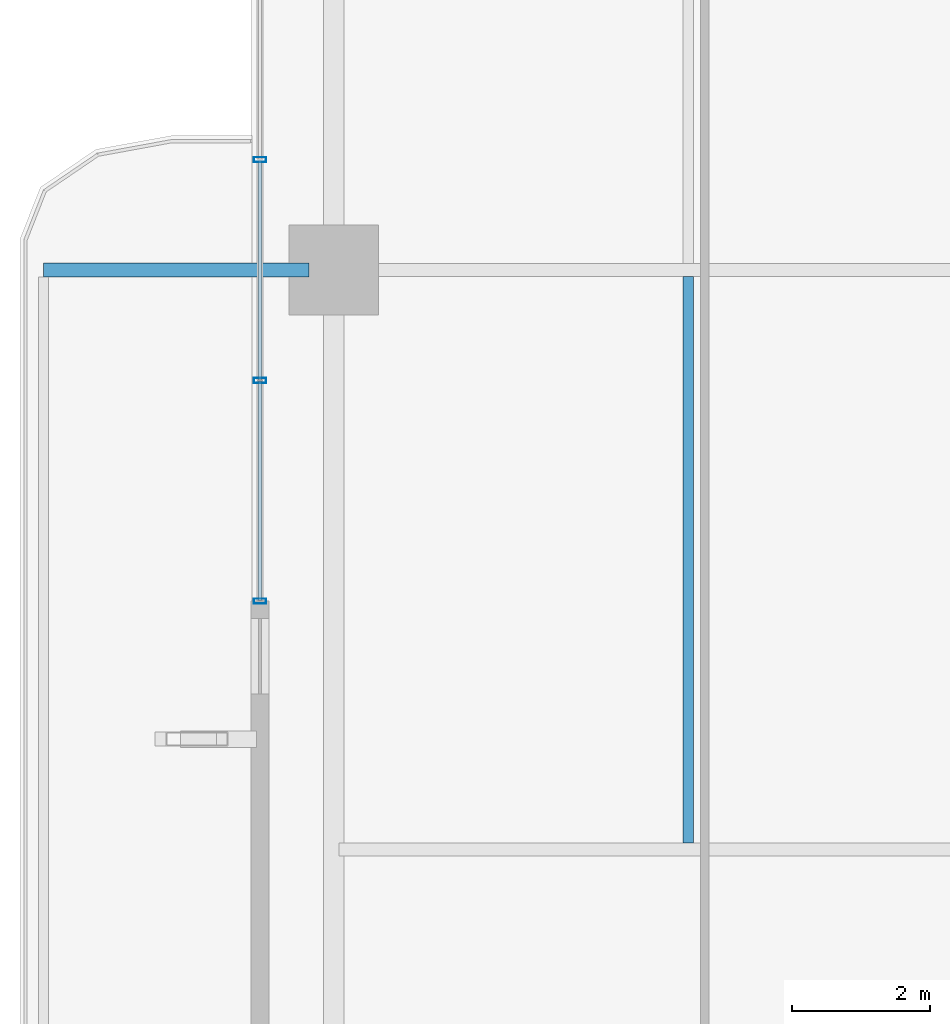
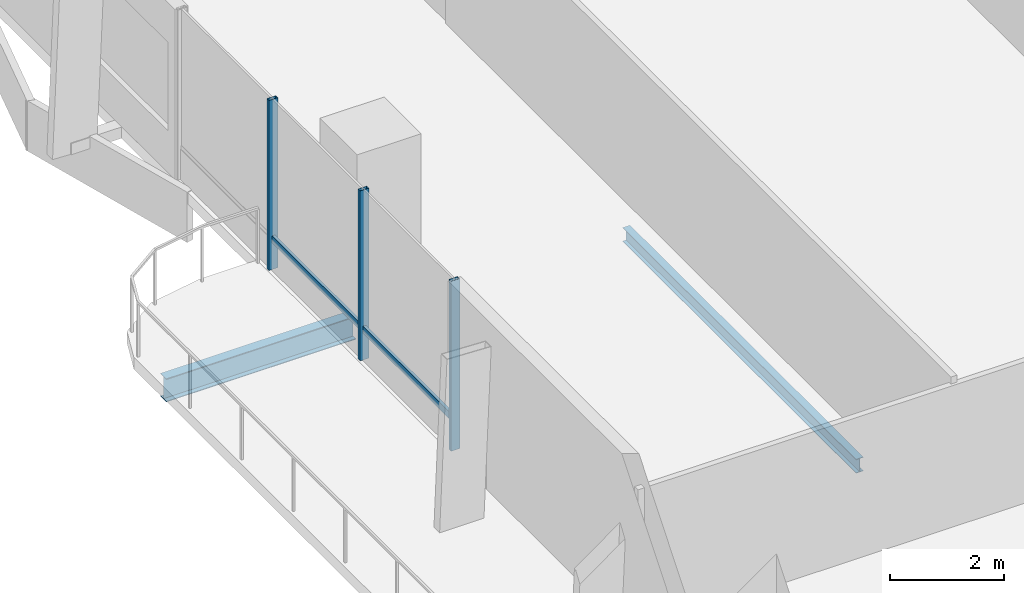
# One storey, part 4 of 24: 5 members, 2 beams, 1 element without a shape of its own.
"""IFC4 building model written with IfcOpenShell, lengths in metres."""

import ifcopenshell
import ifcopenshell.guid

model = None  # the IFC model being written
_history = None  # IfcOwnerHistory: only IFC2X3 demands one
_inside = {}  # id of a spatial element -> (the spatial element, [elements in it])
_under = {}  # id of a project, library or spatial element -> (it, [spatial elements below it])
_declared = {}  # id of a project -> (the project, [libraries it declares])
_typed = {}  # id of a type object -> (the type object, [elements of that type])
_made_of = {}  # id of a material, layer set ... -> (it, [elements and type objects made of it])


def new_model(schema):
    """Start an empty IFC model of exactly this schema.

    Asked for "IFC4X3", IfcOpenShell would pick the latest addendum, in which some entities
    have other attributes; the version numbers below select the first issue.
    IFC2X3 requires an IfcOwnerHistory on every rooted entity: one is made here for all.
    """
    global model, _history
    if schema == "IFC4X3":
        model = ifcopenshell.file(schema_version=(4, 3, 0, 0))
    else:
        model = ifcopenshell.file(schema=schema)
    _inside.clear()
    _under.clear()
    _declared.clear()
    _typed.clear()
    _made_of.clear()
    _history = None
    if model.schema == "IFC2X3":
        org = make("IfcOrganization", Name="unknown")
        user = make(
            "IfcPersonAndOrganization",
            ThePerson=make("IfcPerson", FamilyName="unknown"),
            TheOrganization=org,
        )
        app = make(
            "IfcApplication",
            ApplicationDeveloper=org,
            Version="unknown",
            ApplicationFullName="unknown",
            ApplicationIdentifier="unknown",
        )
        _history = make(
            "IfcOwnerHistory",
            OwningUser=user,
            OwningApplication=app,
            ChangeAction="ADDED",
            CreationDate=0,
        )
    return model


def make(cls, **values):
    """One entity of the class cls with the attributes given. An attribute that is None is left unset."""
    return model.create_entity(
        cls, **{name: value for name, value in values.items() if value is not None}
    )


def rooted(cls, **values):
    """An entity with a GlobalId (a new one), such as an element, a storey or a relation."""
    return make(cls, GlobalId=ifcopenshell.guid.new(), OwnerHistory=_history, **values)


def si_unit(unit_type, name, prefix=None):
    """IfcSIUnit, for example si_unit("LENGTHUNIT", "METRE", prefix="MILLI")."""
    return make("IfcSIUnit", UnitType=unit_type, Prefix=prefix, Name=name)


def assignment(units):
    """IfcUnitAssignment: the units of a project."""
    return None if units is None else make("IfcUnitAssignment", Units=units)


def point(xyz):
    """IfcCartesianPoint."""
    return None if xyz is None else make("IfcCartesianPoint", Coordinates=xyz)


def direction(xyz):
    """IfcDirection."""
    return None if xyz is None else make("IfcDirection", DirectionRatios=xyz)


def frame(location, z_axis=None, x_axis=None):
    """IfcAxis2Placement3D, a coordinate frame: its origin and axes. An axis left out is left unset."""
    return make(
        "IfcAxis2Placement3D",
        Location=point(location),
        Axis=direction(z_axis),
        RefDirection=direction(x_axis),
    )


def frame_2d(location, x_axis=None):
    """IfcAxis2Placement2D, a coordinate frame in the plane: its origin and x axis."""
    return make(
        "IfcAxis2Placement2D", Location=point(location), RefDirection=direction(x_axis)
    )


def origin():
    """The frame at (0, 0, 0) with its axes left unset."""
    return frame((0.0, 0.0, 0.0))


def origin_2d():
    """The frame at (0, 0) in the plane with its x axis left unset."""
    return frame_2d((0.0, 0.0))


def place(relative_to, where):
    """IfcLocalPlacement: puts the frame where relative to a parent placement (None: the world)."""
    return make(
        "IfcLocalPlacement", PlacementRelTo=relative_to, RelativePlacement=where
    )


def context(
    kind, dimensions, precision=None, world=None, true_north=None, identifier=None
):
    """IfcGeometricRepresentationContext, for example the 3D "Model" context."""
    return make(
        "IfcGeometricRepresentationContext",
        ContextIdentifier=identifier,
        ContextType=kind,
        CoordinateSpaceDimension=dimensions,
        Precision=precision,
        WorldCoordinateSystem=world,
        TrueNorth=true_north,
    )


def subcontext(parent, identifier, kind, view, scale=None):
    """IfcGeometricRepresentationSubContext, for example "Body" below "Model"."""
    return make(
        "IfcGeometricRepresentationSubContext",
        ContextIdentifier=identifier,
        ContextType=kind,
        ParentContext=parent,
        TargetScale=scale,
        TargetView=view,
    )


def project(units=None, contexts=None):
    """IfcProject with its units and contexts."""
    return rooted(
        "IfcProject",
        Name="project",
        RepresentationContexts=contexts,
        UnitsInContext=assignment(units),
    )


def spatial(cls, under=None, at=None, **own):
    """A site, building, storey or space (cls), placed at a placement, below another one or the project."""
    s = rooted(cls, ObjectPlacement=at, **own)
    if under is not None:
        _under.setdefault(under.id(), (under, []))[1].append(s)
    return s


def profile(cls, at=None, kind="AREA", **sizes):
    """A parametric profile (cls). Its sizes go by their IFC names, for example OverallWidth=200.0."""
    return make(cls, ProfileType=kind, Position=at, **sizes)


def hollow_rectangle(**sizes):
    """IfcRectangleHollowProfileDef."""
    return profile("IfcRectangleHollowProfileDef", **sizes)


def i_section(**sizes):
    """IfcIShapeProfileDef."""
    return profile("IfcIShapeProfileDef", **sizes)


def extrude(swept, where, along, depth):
    """IfcExtrudedAreaSolid: the profile swept, set in the frame where, extruded along a direction by depth."""
    return make(
        "IfcExtrudedAreaSolid",
        SweptArea=swept,
        Position=where,
        ExtrudedDirection=direction(along),
        Depth=depth,
    )


def shape(context_of_items, identifier, shape_type, items):
    """IfcShapeRepresentation: the items that make up one representation, for example the "Body"."""
    return make(
        "IfcShapeRepresentation",
        ContextOfItems=context_of_items,
        RepresentationIdentifier=identifier,
        RepresentationType=shape_type,
        Items=items,
    )


def material(Name=None, Category=None):
    """IfcMaterial."""
    return make("IfcMaterial", Name=Name, Category=Category)


def layer(
    of_material, thickness, ventilated=None, Name=None, Category=None, Priority=None
):
    """IfcMaterialLayer: one layer of a wall or slab, of a material (None: an air gap)."""
    return make(
        "IfcMaterialLayer",
        Material=of_material,
        LayerThickness=thickness,
        IsVentilated=ventilated,
        Name=Name,
        Category=Category,
        Priority=Priority,
    )


def layer_set(layers, Name=None):
    """IfcMaterialLayerSet."""
    return make("IfcMaterialLayerSet", MaterialLayers=layers, LayerSetName=Name)


def material_profile(
    of_material, cross_section, Name=None, Category=None, Priority=None
):
    """IfcMaterialProfile: a cross section and its material."""
    return make(
        "IfcMaterialProfile",
        Name=Name,
        Material=of_material,
        Profile=cross_section,
        Priority=Priority,
        Category=Category,
    )


def profile_set(profiles, Name=None, composite=None):
    """IfcMaterialProfileSet."""
    return make(
        "IfcMaterialProfileSet",
        Name=Name,
        MaterialProfiles=profiles,
        CompositeProfile=composite,
    )


def made_of(thing, what):
    """Note that an element or type object is made of a material, layer set ...; save() writes the relation."""
    if what is not None:
        _made_of.setdefault(what.id(), (what, []))[1].append(thing)
    return thing


def type_object(cls, material=None, **own):
    """A type object (cls), such as IfcWallType, which elements share."""
    return made_of(rooted(cls, **own), material)


def element(
    cls,
    number,
    at=None,
    inside=None,
    cuts=None,
    type_object=None,
    material=None,
    context=None,
    identifier="Body",
    shape_type=None,
    held_by="IfcProductDefinitionShape",
    body=None,
    shapes=None,
    **own,
):
    """One element of the class cls, such as IfcWall. Its Tag is "e" and its number.

    at: its placement. inside: the storey or other place that contains it. cuts: it is an
    opening in that element (IfcRelVoidsElement). A single representation is given by context,
    identifier, shape_type and body (its items); several are given by shapes. held_by: the class
    of the entity that holds the representations. save() writes the other relations.
    """
    e = rooted(cls, Tag="e%d" % number, ObjectPlacement=at, **own)
    if body is not None:
        shapes = [shape(context, identifier, shape_type, body)]
    if shapes is not None:
        e.Representation = make(held_by, Representations=shapes)
    if inside is not None:
        _inside.setdefault(inside.id(), (inside, []))[1].append(e)
    if cuts is not None:
        rooted(
            "IfcRelVoidsElement", RelatingBuildingElement=cuts, RelatedOpeningElement=e
        )
    if type_object is not None:
        _typed.setdefault(type_object.id(), (type_object, []))[1].append(e)
    return made_of(e, material)


def aggregate(whole, parts):
    """IfcRelAggregates: a whole, such as a stair, and the parts it consists of."""
    return rooted("IfcRelAggregates", RelatingObject=whole, RelatedObjects=parts)


def save(model, path):
    """Write the relations noted so far, then the file.

    IfcRelAggregates (storeys below a building ...), IfcRelContainedInSpatialStructure (elements
    in a storey), IfcRelDefinesByType, IfcRelAssociatesMaterial and IfcRelDeclares: one each for
    every whole, place, type object, material and project.
    """
    for whole, parts in _under.values():
        aggregate(whole, parts)
    for where, things in _inside.values():
        rooted(
            "IfcRelContainedInSpatialStructure",
            RelatedElements=things,
            RelatingStructure=where,
        )
    for kind, things in _typed.values():
        rooted("IfcRelDefinesByType", RelatedObjects=things, RelatingType=kind)
    for what, things in _made_of.values():
        rooted("IfcRelAssociatesMaterial", RelatedObjects=things, RelatingMaterial=what)
    for by, libraries in _declared.values():
        rooted("IfcRelDeclares", RelatingContext=by, RelatedDefinitions=libraries)
    model.write(path)


model = new_model("IFC4")

# Units and contexts
model_context = context("Model", 3, precision=1e-05, world=origin(), true_north=direction((0.0, 1.0)))
body_context = subcontext(model_context, "Body", "Model", "MODEL_VIEW")
ifc_project = project(units=[si_unit("LENGTHUNIT", "METRE"), si_unit("AREAUNIT", "SQUARE_METRE"), si_unit("VOLUMEUNIT", "CUBIC_METRE"), si_unit("PLANEANGLEUNIT", "RADIAN"), si_unit("MASSUNIT", "GRAM", prefix="KILO")], contexts=[model_context])

# Site, building, storey
site_placement = place(None, origin())
site = spatial("IfcSite", under=ifc_project, at=site_placement, CompositionType="ELEMENT")
building_placement = place(site_placement, origin())
building = spatial("IfcBuilding", under=site, at=building_placement, Name="Belovzor Exchange Tower", CompositionType="ELEMENT")
storey_placement = place(building_placement, frame((0.0, 0.0, 117.300048828125)))
storey = spatial("IfcBuildingStorey", under=building, at=storey_placement, Name="L28", CompositionType="ELEMENT", Elevation=117.300048828125)

# Beams
ifc_material_1 = material(Name="Steel S355", Category="steel")
ifc_material_profile_1 = material_profile(ifc_material_1, i_section(OverallWidth=0.199951171875, OverallDepth=0.5, WebThickness=0.01025390625, FlangeThickness=0.01611328125, at=origin_2d()))
ifc_profile_set_1 = profile_set([ifc_material_profile_1], Name="Steel S355")
beam_type_1 = type_object("IfcBeamType", Name="Planted Balcony Cantilever Beam IPE 500", PredefinedType="BEAM", material=ifc_profile_set_1)
beam_1_placement = place(storey_placement, frame((3.5419921875, 28.800048828125, -0.5), z_axis=(-1.0, 0.0, 0.0), x_axis=(0.0, -1.0, 0.0)))
element("IfcBeam", 1, at=beam_1_placement, inside=storey, type_object=beam_type_1, Name="BC-500 Planted Balcony Cantilever Beam IPE 500", PredefinedType="BEAM", context=body_context, shape_type="SweptSolid", body=[
    extrude(i_section(OverallWidth=0.199951171875, OverallDepth=0.5, WebThickness=0.01025390625, FlangeThickness=0.01611328125, at=origin_2d()), origin(), (0.0, 0.0, 1.0), 3.85009765625),
])
ifc_material_2 = material(Name="Steel S355", Category="steel")
ifc_material_profile_2 = material_profile(ifc_material_2, i_section(OverallWidth=0.14990234375, OverallDepth=0.300048828125, WebThickness=0.007080078125, FlangeThickness=0.0107421875, at=origin_2d()))
ifc_profile_set_2 = profile_set([ifc_material_profile_2], Name="Steel S355")
beam_type_2 = type_object("IfcBeamType", Name="Secondary Trim Floor Joist IPE 300", PredefinedType="BEAM", material=ifc_profile_set_2)
beam_2_placement = place(storey_placement, frame((9.0390625, 20.4951171875, -0.400146484375), z_axis=(0.0, 1.0, 0.0), x_axis=(-1.0, 0.0, 0.0)))
element("IfcBeam", 2, at=beam_2_placement, inside=storey, type_object=beam_type_2, Name="FJ-300 Secondary Trim Floor Joist IPE 300", PredefinedType="BEAM", context=body_context, shape_type="SweptSolid", body=[
    extrude(i_section(OverallWidth=0.14990234375, OverallDepth=0.300048828125, WebThickness=0.007080078125, FlangeThickness=0.0107421875, at=origin_2d()), origin(), (0.0, 0.0, 1.0), 8.2099609375),
])

# Curtain wall, members
ifc_material_3 = material(Name="Anodised Aluminium Framing", Category="aluminium")
ifc_layer = layer(ifc_material_3, 0.179931640625)
ifc_layer_set = layer_set([ifc_layer], Name="Anodised Aluminium Framing")
curtain_wall_type = type_object("IfcCurtainWallType", Name="Recessed Loggia Low-Iron Triple-Glazed Curtain Wall", PredefinedType="NOTDEFINED", material=ifc_layer_set)
curtain_wall_placement = place(storey_placement, origin())
curtain_wall = element("IfcCurtainWall", 3, at=curtain_wall_placement, inside=storey, type_object=curtain_wall_type, Name="CW3 Recessed Loggia Low-Iron Triple-Glazed Curtain Wall L28", PredefinedType="NOTDEFINED")
ifc_material_4 = material(Name="Steel S355", Category="steel")
ifc_material_profile_3 = material_profile(ifc_material_4, hollow_rectangle(XDim=0.074951171875, YDim=0.179931640625, WallThickness=0.0048828125, at=origin_2d()))
ifc_profile_set_3 = profile_set([ifc_material_profile_3], Name="Steel S355")
member_type_1 = type_object("IfcMemberType", Name="Thermally Broken Curtain Wall Mullion 180x75", PredefinedType="MULLION", material=ifc_profile_set_3)
member_1_placement = place(storey_placement, frame((2.830078125, 24.0, 0.0), z_axis=(0.0, 0.0, 1.0), x_axis=(0.0, 1.0, 0.0)))
member_1 = element("IfcMember", 4, at=member_1_placement, type_object=member_type_1, Name="CW-M180 Curtain Wall Mullion 1", PredefinedType="MULLION", context=body_context, shape_type="SweptSolid", body=[
    extrude(hollow_rectangle(XDim=0.074951171875, YDim=0.179931640625, WallThickness=0.0048828125, at=origin_2d()), origin(), (0.0, 0.0, 1.0), 3.64990234375),
])
member_2_placement = place(storey_placement, frame((2.830078125, 27.199951171875, 0.0), z_axis=(0.0, 0.0, 1.0), x_axis=(0.0, 1.0, 0.0)))
member_2 = element("IfcMember", 5, at=member_2_placement, type_object=member_type_1, Name="CW-M180 Curtain Wall Mullion 2", PredefinedType="MULLION", context=body_context, shape_type="SweptSolid", body=[
    extrude(hollow_rectangle(XDim=0.074951171875, YDim=0.179931640625, WallThickness=0.0048828125, at=origin_2d()), origin(), (0.0, 0.0, 1.0), 3.64990234375),
])
member_3_placement = place(storey_placement, frame((2.830078125, 30.39990234375, 0.0), z_axis=(0.0, 0.0, 1.0), x_axis=(0.0, 1.0, 0.0)))
member_3 = element("IfcMember", 6, at=member_3_placement, type_object=member_type_1, Name="CW-M180 Curtain Wall Mullion 3", PredefinedType="MULLION", context=body_context, shape_type="SweptSolid", body=[
    extrude(hollow_rectangle(XDim=0.074951171875, YDim=0.179931640625, WallThickness=0.0048828125, at=origin_2d()), origin(), (0.0, 0.0, 1.0), 3.64990234375),
])
ifc_material_5 = material(Name="Steel S355", Category="steel")
ifc_material_profile_4 = material_profile(ifc_material_5, hollow_rectangle(XDim=0.06005859375, YDim=0.14990234375, WallThickness=0.00390625, at=origin_2d()))
ifc_profile_set_4 = profile_set([ifc_material_profile_4], Name="Steel S355")
member_type_2 = type_object("IfcMemberType", Name="Thermally Broken Curtain Wall Transom 150x60", PredefinedType="USERDEFINED", material=ifc_profile_set_4)
member_4_placement = place(storey_placement, frame((2.830078125, 24.008056640625, 0.64990234375), z_axis=(0.0, 1.0, 0.0), x_axis=(-1.0, 0.0, 0.0)))
member_4 = element("IfcMember", 7, at=member_4_placement, type_object=member_type_2, Name="CW-T150 Curtain Wall Transom 1", ObjectType="TRANSOM", PredefinedType="USERDEFINED", context=body_context, shape_type="SweptSolid", body=[
    extrude(hollow_rectangle(XDim=0.06005859375, YDim=0.14990234375, WallThickness=0.00390625, at=origin_2d()), origin(), (0.0, 0.0, 1.0), 3.183837890625),
])
member_5_placement = place(storey_placement, frame((2.830078125, 27.2080078125, 0.64990234375), z_axis=(0.0, 1.0, 0.0), x_axis=(-1.0, 0.0, 0.0)))
member_5 = element("IfcMember", 8, at=member_5_placement, type_object=member_type_2, Name="CW-T150 Curtain Wall Transom 2", ObjectType="TRANSOM", PredefinedType="USERDEFINED", context=body_context, shape_type="SweptSolid", body=[
    extrude(hollow_rectangle(XDim=0.06005859375, YDim=0.14990234375, WallThickness=0.00390625, at=origin_2d()), origin(), (0.0, 0.0, 1.0), 3.18408203125),
])
aggregate(curtain_wall, [member_1, member_2, member_3, member_4, member_5])

save(model, "model.ifc")
